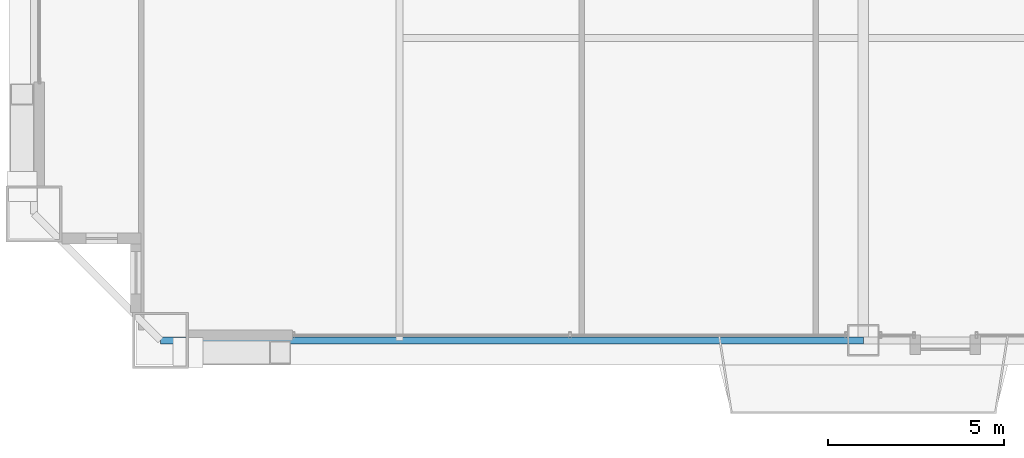
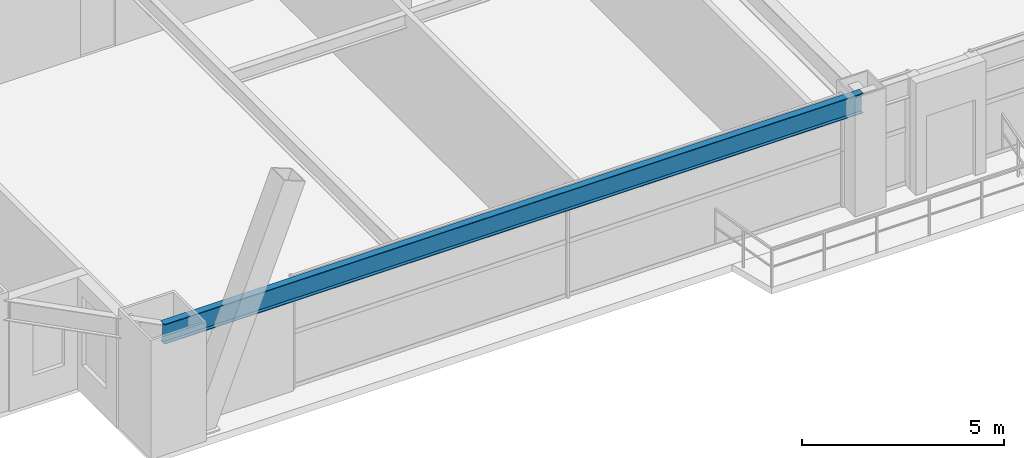
# One storey, part 4 of 41: 1 beam.
"""IFC4 building model written with IfcOpenShell, lengths in metres."""

from ifc_helpers import new_model, si_unit, direction, frame, origin, origin_2d, place, context, subcontext, project, spatial, i_section, extrude, source, transform, mapped, material, material_profile, profile_set, type_object, element, save


model = new_model("IFC4")

# Units and contexts
model_context = context("Model", 3, precision=1e-05, world=origin(), true_north=direction((0.0, 1.0)))
body_context = subcontext(model_context, "Body", "Model", "MODEL_VIEW")
ifc_project = project(units=[si_unit("LENGTHUNIT", "METRE"), si_unit("AREAUNIT", "SQUARE_METRE"), si_unit("VOLUMEUNIT", "CUBIC_METRE"), si_unit("PLANEANGLEUNIT", "RADIAN"), si_unit("MASSUNIT", "GRAM", prefix="KILO"), si_unit("THERMODYNAMICTEMPERATUREUNIT", "KELVIN"), si_unit("POWERUNIT", "WATT")], contexts=[model_context])

# Site, building, storey
site_placement = place(None, origin())
site = spatial("IfcSite", under=ifc_project, at=site_placement, CompositionType="ELEMENT")
building_placement = place(site_placement, origin())
building = spatial("IfcBuilding", under=site, at=building_placement, Name="Yuzanri Waterfront Tower", CompositionType="ELEMENT")
storey_placement = place(building_placement, frame((0.0, 0.0, 122.60009765625)))
storey = spatial("IfcBuildingStorey", under=building, at=storey_placement, Name="L32", CompositionType="ELEMENT", Elevation=122.60009765625)

# Beam
ifc_material = material(Name="Steel Q355B", Category="steel")
ifc_material_profile = material_profile(ifc_material, i_section(OverallWidth=0.199951171875, OverallDepth=0.60009765625, WebThickness=0.010986328125, FlangeThickness=0.01708984375, at=origin_2d()), Name="HN 600x200x11x17")
ifc_profile_set = profile_set([ifc_material_profile], Name="Steel Q355B")
beam_type = type_object("IfcBeamType", Name="Perimeter Spandrel Q355B HN 600x200", PredefinedType="SPANDREL", material=ifc_profile_set)
shared_shape = source(origin(), body_context, "Body", "SweptSolid", [
    extrude(i_section(OverallWidth=0.199951171875, OverallDepth=0.60009765625, WebThickness=0.010986328125, FlangeThickness=0.01708984375, at=origin_2d()), origin(), (0.0, 0.0, 1.0), 20.0),
])
beam_placement = place(storey_placement, frame((17.0, 2.199951171875, 3.079833984375), z_axis=(1.0, 0.0, 0.0), x_axis=(0.0, 1.0, 0.0)))
element("IfcBeam", 1, at=beam_placement, inside=storey, type_object=beam_type, Name="L32 Perimeter Spandrel S1-S2", PredefinedType="SPANDREL", context=body_context, shape_type="MappedRepresentation", body=[
    mapped(shared_shape, transform((0.0, 0.0, 0.0), scale=1.0)),
])

save(model, "model.ifc")
